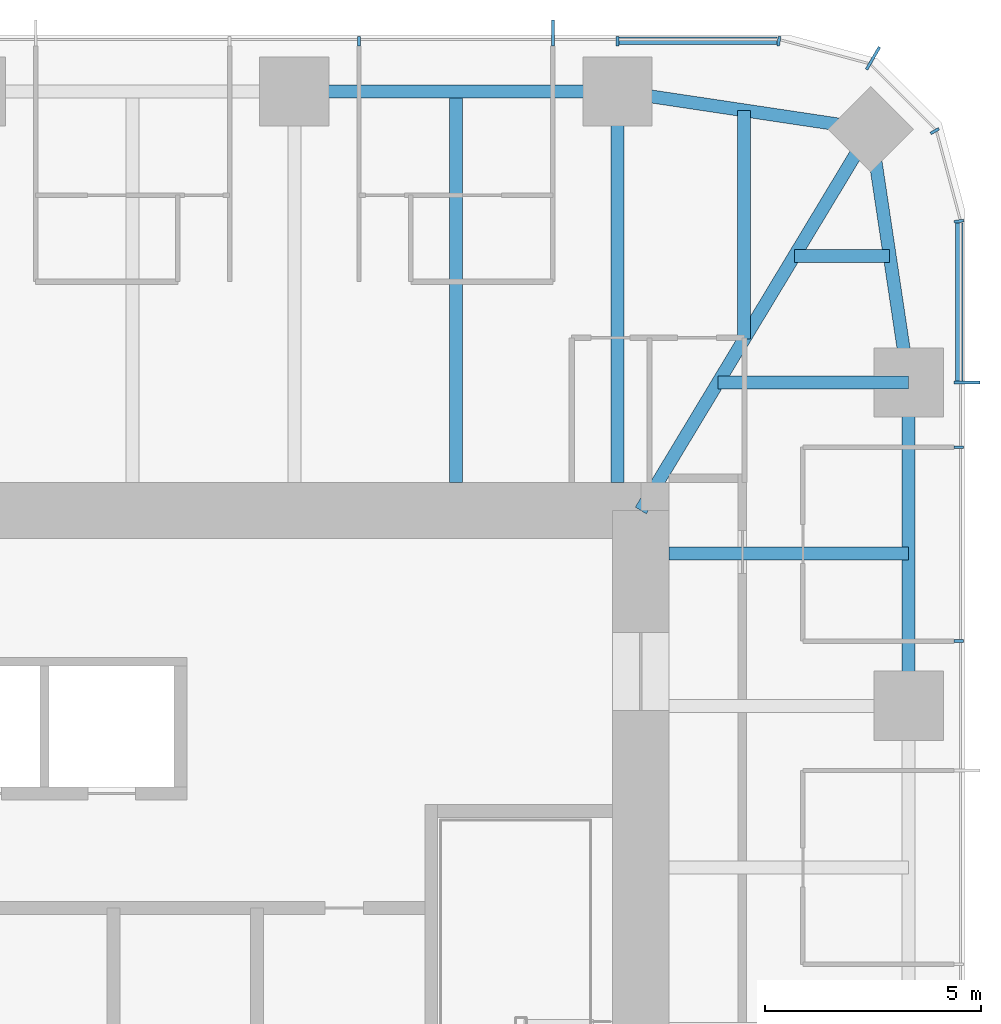
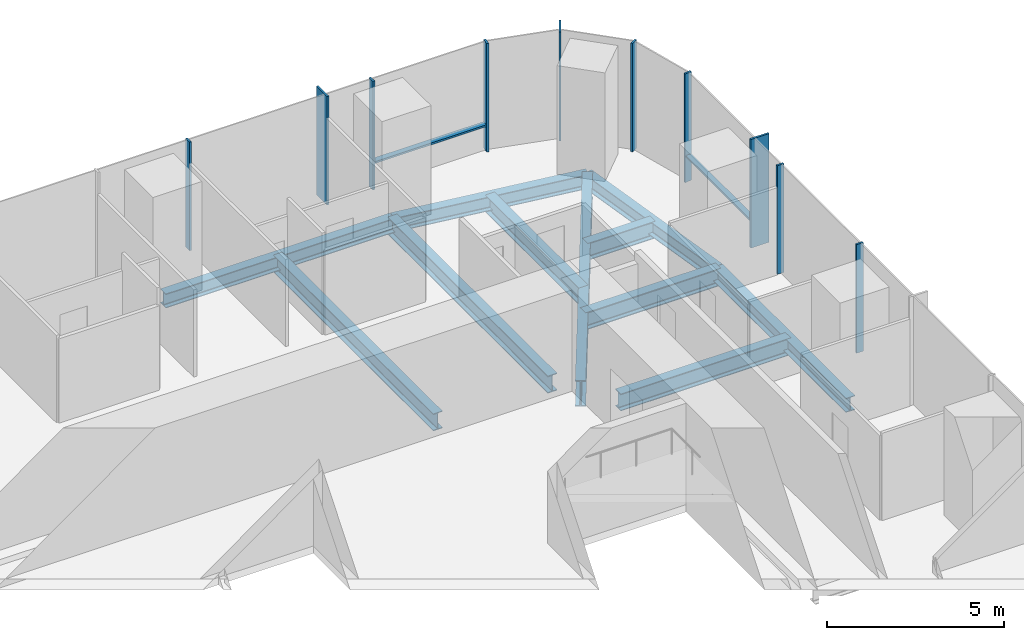
# One storey, part 6 of 12: 12 members, 11 beams, 3 elements without a shape of their own.
"""IFC4 building model written with IfcOpenShell, lengths in metres."""

import ifcopenshell
import ifcopenshell.guid

model = None  # the IFC model being written
_history = None  # IfcOwnerHistory: only IFC2X3 demands one
_inside = {}  # id of a spatial element -> (the spatial element, [elements in it])
_under = {}  # id of a project, library or spatial element -> (it, [spatial elements below it])
_declared = {}  # id of a project -> (the project, [libraries it declares])
_typed = {}  # id of a type object -> (the type object, [elements of that type])
_made_of = {}  # id of a material, layer set ... -> (it, [elements and type objects made of it])


def new_model(schema):
    """Start an empty IFC model of exactly this schema.

    Asked for "IFC4X3", IfcOpenShell would pick the latest addendum, in which some entities
    have other attributes; the version numbers below select the first issue.
    IFC2X3 requires an IfcOwnerHistory on every rooted entity: one is made here for all.
    """
    global model, _history
    if schema == "IFC4X3":
        model = ifcopenshell.file(schema_version=(4, 3, 0, 0))
    else:
        model = ifcopenshell.file(schema=schema)
    _inside.clear()
    _under.clear()
    _declared.clear()
    _typed.clear()
    _made_of.clear()
    _history = None
    if model.schema == "IFC2X3":
        org = make("IfcOrganization", Name="unknown")
        user = make(
            "IfcPersonAndOrganization",
            ThePerson=make("IfcPerson", FamilyName="unknown"),
            TheOrganization=org,
        )
        app = make(
            "IfcApplication",
            ApplicationDeveloper=org,
            Version="unknown",
            ApplicationFullName="unknown",
            ApplicationIdentifier="unknown",
        )
        _history = make(
            "IfcOwnerHistory",
            OwningUser=user,
            OwningApplication=app,
            ChangeAction="ADDED",
            CreationDate=0,
        )
    return model


def make(cls, **values):
    """One entity of the class cls with the attributes given. An attribute that is None is left unset."""
    return model.create_entity(
        cls, **{name: value for name, value in values.items() if value is not None}
    )


def rooted(cls, **values):
    """An entity with a GlobalId (a new one), such as an element, a storey or a relation."""
    return make(cls, GlobalId=ifcopenshell.guid.new(), OwnerHistory=_history, **values)


def si_unit(unit_type, name, prefix=None):
    """IfcSIUnit, for example si_unit("LENGTHUNIT", "METRE", prefix="MILLI")."""
    return make("IfcSIUnit", UnitType=unit_type, Prefix=prefix, Name=name)


def assignment(units):
    """IfcUnitAssignment: the units of a project."""
    return None if units is None else make("IfcUnitAssignment", Units=units)


def point(xyz):
    """IfcCartesianPoint."""
    return None if xyz is None else make("IfcCartesianPoint", Coordinates=xyz)


def direction(xyz):
    """IfcDirection."""
    return None if xyz is None else make("IfcDirection", DirectionRatios=xyz)


def frame(location, z_axis=None, x_axis=None):
    """IfcAxis2Placement3D, a coordinate frame: its origin and axes. An axis left out is left unset."""
    return make(
        "IfcAxis2Placement3D",
        Location=point(location),
        Axis=direction(z_axis),
        RefDirection=direction(x_axis),
    )


def frame_2d(location, x_axis=None):
    """IfcAxis2Placement2D, a coordinate frame in the plane: its origin and x axis."""
    return make(
        "IfcAxis2Placement2D", Location=point(location), RefDirection=direction(x_axis)
    )


def origin():
    """The frame at (0, 0, 0) with its axes left unset."""
    return frame((0.0, 0.0, 0.0))


def origin_2d():
    """The frame at (0, 0) in the plane with its x axis left unset."""
    return frame_2d((0.0, 0.0))


def place(relative_to, where):
    """IfcLocalPlacement: puts the frame where relative to a parent placement (None: the world)."""
    return make(
        "IfcLocalPlacement", PlacementRelTo=relative_to, RelativePlacement=where
    )


def context(
    kind, dimensions, precision=None, world=None, true_north=None, identifier=None
):
    """IfcGeometricRepresentationContext, for example the 3D "Model" context."""
    return make(
        "IfcGeometricRepresentationContext",
        ContextIdentifier=identifier,
        ContextType=kind,
        CoordinateSpaceDimension=dimensions,
        Precision=precision,
        WorldCoordinateSystem=world,
        TrueNorth=true_north,
    )


def subcontext(parent, identifier, kind, view, scale=None):
    """IfcGeometricRepresentationSubContext, for example "Body" below "Model"."""
    return make(
        "IfcGeometricRepresentationSubContext",
        ContextIdentifier=identifier,
        ContextType=kind,
        ParentContext=parent,
        TargetScale=scale,
        TargetView=view,
    )


def project(units=None, contexts=None):
    """IfcProject with its units and contexts."""
    return rooted(
        "IfcProject",
        Name="project",
        RepresentationContexts=contexts,
        UnitsInContext=assignment(units),
    )


def spatial(cls, under=None, at=None, **own):
    """A site, building, storey or space (cls), placed at a placement, below another one or the project."""
    s = rooted(cls, ObjectPlacement=at, **own)
    if under is not None:
        _under.setdefault(under.id(), (under, []))[1].append(s)
    return s


def profile(cls, at=None, kind="AREA", **sizes):
    """A parametric profile (cls). Its sizes go by their IFC names, for example OverallWidth=200.0."""
    return make(cls, ProfileType=kind, Position=at, **sizes)


def rectangle(**sizes):
    """IfcRectangleProfileDef."""
    return profile("IfcRectangleProfileDef", **sizes)


def i_section(**sizes):
    """IfcIShapeProfileDef."""
    return profile("IfcIShapeProfileDef", **sizes)


def extrude(swept, where, along, depth):
    """IfcExtrudedAreaSolid: the profile swept, set in the frame where, extruded along a direction by depth."""
    return make(
        "IfcExtrudedAreaSolid",
        SweptArea=swept,
        Position=where,
        ExtrudedDirection=direction(along),
        Depth=depth,
    )


def shape(context_of_items, identifier, shape_type, items):
    """IfcShapeRepresentation: the items that make up one representation, for example the "Body"."""
    return make(
        "IfcShapeRepresentation",
        ContextOfItems=context_of_items,
        RepresentationIdentifier=identifier,
        RepresentationType=shape_type,
        Items=items,
    )


def material(Name=None, Category=None):
    """IfcMaterial."""
    return make("IfcMaterial", Name=Name, Category=Category)


def material_profile(
    of_material, cross_section, Name=None, Category=None, Priority=None
):
    """IfcMaterialProfile: a cross section and its material."""
    return make(
        "IfcMaterialProfile",
        Name=Name,
        Material=of_material,
        Profile=cross_section,
        Priority=Priority,
        Category=Category,
    )


def profile_set(profiles, Name=None, composite=None):
    """IfcMaterialProfileSet."""
    return make(
        "IfcMaterialProfileSet",
        Name=Name,
        MaterialProfiles=profiles,
        CompositeProfile=composite,
    )


def made_of(thing, what):
    """Note that an element or type object is made of a material, layer set ...; save() writes the relation."""
    if what is not None:
        _made_of.setdefault(what.id(), (what, []))[1].append(thing)
    return thing


def type_object(cls, material=None, **own):
    """A type object (cls), such as IfcWallType, which elements share."""
    return made_of(rooted(cls, **own), material)


def element(
    cls,
    number,
    at=None,
    inside=None,
    cuts=None,
    type_object=None,
    material=None,
    context=None,
    identifier="Body",
    shape_type=None,
    held_by="IfcProductDefinitionShape",
    body=None,
    shapes=None,
    **own,
):
    """One element of the class cls, such as IfcWall. Its Tag is "e" and its number.

    at: its placement. inside: the storey or other place that contains it. cuts: it is an
    opening in that element (IfcRelVoidsElement). A single representation is given by context,
    identifier, shape_type and body (its items); several are given by shapes. held_by: the class
    of the entity that holds the representations. save() writes the other relations.
    """
    e = rooted(cls, Tag="e%d" % number, ObjectPlacement=at, **own)
    if body is not None:
        shapes = [shape(context, identifier, shape_type, body)]
    if shapes is not None:
        e.Representation = make(held_by, Representations=shapes)
    if inside is not None:
        _inside.setdefault(inside.id(), (inside, []))[1].append(e)
    if cuts is not None:
        rooted(
            "IfcRelVoidsElement", RelatingBuildingElement=cuts, RelatedOpeningElement=e
        )
    if type_object is not None:
        _typed.setdefault(type_object.id(), (type_object, []))[1].append(e)
    return made_of(e, material)


def aggregate(whole, parts):
    """IfcRelAggregates: a whole, such as a stair, and the parts it consists of."""
    return rooted("IfcRelAggregates", RelatingObject=whole, RelatedObjects=parts)


def save(model, path):
    """Write the relations noted so far, then the file.

    IfcRelAggregates (storeys below a building ...), IfcRelContainedInSpatialStructure (elements
    in a storey), IfcRelDefinesByType, IfcRelAssociatesMaterial and IfcRelDeclares: one each for
    every whole, place, type object, material and project.
    """
    for whole, parts in _under.values():
        aggregate(whole, parts)
    for where, things in _inside.values():
        rooted(
            "IfcRelContainedInSpatialStructure",
            RelatedElements=things,
            RelatingStructure=where,
        )
    for kind, things in _typed.values():
        rooted("IfcRelDefinesByType", RelatedObjects=things, RelatingType=kind)
    for what, things in _made_of.values():
        rooted("IfcRelAssociatesMaterial", RelatedObjects=things, RelatingMaterial=what)
    for by, libraries in _declared.values():
        rooted("IfcRelDeclares", RelatingContext=by, RelatedDefinitions=libraries)
    model.write(path)


model = new_model("IFC4")

# Units and contexts
model_context = context("Model", 3, precision=1e-05, world=origin(), true_north=direction((0.0, 1.0)))
body_context = subcontext(model_context, "Body", "Model", "MODEL_VIEW")
ifc_project = project(units=[si_unit("LENGTHUNIT", "METRE"), si_unit("AREAUNIT", "SQUARE_METRE"), si_unit("VOLUMEUNIT", "CUBIC_METRE"), si_unit("PLANEANGLEUNIT", "RADIAN"), si_unit("MASSUNIT", "GRAM", prefix="KILO")], contexts=[model_context])

# Site, building, storey
site_placement = place(None, origin())
site = spatial("IfcSite", under=ifc_project, at=site_placement, CompositionType="ELEMENT")
building_placement = place(site_placement, origin())
building = spatial("IfcBuilding", under=site, at=building_placement, Name="Khuree Lantern Residences", CompositionType="ELEMENT")
storey_placement = place(building_placement, frame((0.0, 0.0, 342.0)))
storey = spatial("IfcBuildingStorey", under=building, at=storey_placement, Name="L86", CompositionType="ELEMENT", Elevation=342.0)

# Beams
ifc_material_1 = material(Name="Steel S355", Category="steel")
ifc_material_profile_1 = material_profile(ifc_material_1, i_section(OverallWidth=0.300048828125, OverallDepth=0.590087890625, WebThickness=0.012939453125, FlangeThickness=0.02490234375, FilletRadius=0.027099609375, at=origin_2d()), Name="HE 600 A")
ifc_profile_set_1 = profile_set([ifc_material_profile_1], Name="Steel S355")
beam_type_1 = type_object("IfcBeamType", Name="B-45 SECONDARY BEAM HE 600 A", PredefinedType="BEAM", material=ifc_profile_set_1)
beam_1_placement = place(storey_placement, frame((11.219970703125, 21.699951171875, -0.544921875), z_axis=(0.0, -1.0, 0.0), x_axis=(1.0, 0.0, 0.0)))
element("IfcBeam", 1, at=beam_1_placement, inside=storey, type_object=beam_type_1, Name="Secondary beam N4", PredefinedType="BEAM", context=body_context, shape_type="SweptSolid", body=[
    extrude(i_section(OverallWidth=0.300048828125, OverallDepth=0.590087890625, WebThickness=0.012939453125, FlangeThickness=0.02490234375, FilletRadius=0.027099609375, at=origin_2d()), origin(), (0.0, 0.0, 1.0), 9.050048828125),
])
beam_2_placement = place(storey_placement, frame((17.890625, 21.2607421875, -0.544921875), z_axis=(0.0, -1.0, 0.0), x_axis=(1.0, 0.0, 0.0)))
element("IfcBeam", 2, at=beam_2_placement, inside=storey, type_object=beam_type_1, Name="Secondary beam N5", PredefinedType="BEAM", context=body_context, shape_type="SweptSolid", body=[
    extrude(i_section(OverallWidth=0.300048828125, OverallDepth=0.590087890625, WebThickness=0.012939453125, FlangeThickness=0.02490234375, FilletRadius=0.027099609375, at=origin_2d()), origin(), (0.0, 0.0, 1.0), 5.297607421875),
])
beam_3_placement = place(storey_placement, frame((21.2607421875, 17.890625, -0.544921875), z_axis=(-1.0, 0.0, 0.0), x_axis=(0.0, -1.0, 0.0)))
element("IfcBeam", 3, at=beam_3_placement, inside=storey, type_object=beam_type_1, Name="Secondary beam E1", PredefinedType="BEAM", context=body_context, shape_type="SweptSolid", body=[
    extrude(i_section(OverallWidth=0.300048828125, OverallDepth=0.590087890625, WebThickness=0.012939453125, FlangeThickness=0.02490234375, FilletRadius=0.027099609375, at=origin_2d()), origin(), (0.0, 0.0, 1.0), 2.207275390625),
])
beam_4_placement = place(storey_placement, frame((21.699951171875, 11.0, -0.544921875), z_axis=(-1.0, 0.0, 0.0), x_axis=(0.0, -1.0, 0.0)))
element("IfcBeam", 4, at=beam_4_placement, inside=storey, type_object=beam_type_1, Name="Secondary beam E2", PredefinedType="BEAM", context=body_context, shape_type="SweptSolid", body=[
    extrude(i_section(OverallWidth=0.300048828125, OverallDepth=0.590087890625, WebThickness=0.012939453125, FlangeThickness=0.02490234375, FilletRadius=0.027099609375, at=origin_2d()), origin(), (0.0, 0.0, 1.0), 5.550048828125),
])
ifc_material_profile_2 = material_profile(ifc_material_1, i_section(OverallWidth=0.300048828125, OverallDepth=0.489990234375, WebThickness=0.011962890625, FlangeThickness=0.02294921875, FilletRadius=0.027099609375, at=origin_2d()), Name="HE 500 A")
ifc_profile_set_2 = profile_set([ifc_material_profile_2], Name="Steel S355")
beam_type_2 = type_object("IfcBeamType", Name="E-45 SPANDREL BEAM HE 500 A", PredefinedType="SPANDREL", material=ifc_profile_set_2)
beam_5_placement = place(storey_placement, frame((7.47998046875, 21.699951171875, -0.4951171875), z_axis=(1.0, 0.0, 0.0), x_axis=(0.0, 1.0, 0.0)))
element("IfcBeam", 5, at=beam_5_placement, inside=storey, type_object=beam_type_2, Name="Spandrel beam N4", PredefinedType="SPANDREL", context=body_context, shape_type="SweptSolid", body=[
    extrude(i_section(OverallWidth=0.300048828125, OverallDepth=0.489990234375, WebThickness=0.011962890625, FlangeThickness=0.02294921875, FilletRadius=0.027099609375, at=origin_2d()), origin(), (0.0, 0.0, 1.0), 7.47998046875),
])
for number, where, z_axis, x_axis, name in (
    (6, (14.9599609375, 21.699951171875, -0.4951171875), (0.988949643299, -0.148251822985, 0.0), (0.148251822985, 0.988949643299, 0.0), "Spandrel beam N5"),
    (7, (20.8212890625, 20.8212890625, -0.4951171875), (0.148251822985, -0.988949643299, 0.0), (0.988949643299, 0.148251822985, 0.0), "Spandrel beam E1"),
):
    element("IfcBeam", number, at=place(storey_placement, frame(where, z_axis=z_axis, x_axis=x_axis)), inside=storey, type_object=beam_type_2, Name=name, PredefinedType="SPANDREL", context=body_context, shape_type="SweptSolid", body=[
        extrude(i_section(OverallWidth=0.300048828125, OverallDepth=0.489990234375, WebThickness=0.011962890625, FlangeThickness=0.02294921875, FilletRadius=0.027099609375, at=origin_2d()), origin(), (0.0, 0.0, 1.0), 5.9267578125),
    ])
beam_6_placement = place(storey_placement, frame((21.699951171875, 14.9599609375, -0.4951171875), z_axis=(0.0, -1.0, 0.0), x_axis=(1.0, 0.0, 0.0)))
element("IfcBeam", 8, at=beam_6_placement, inside=storey, type_object=beam_type_2, Name="Spandrel beam E2", PredefinedType="SPANDREL", context=body_context, shape_type="SweptSolid", body=[
    extrude(i_section(OverallWidth=0.300048828125, OverallDepth=0.489990234375, WebThickness=0.011962890625, FlangeThickness=0.02294921875, FilletRadius=0.027099609375, at=origin_2d()), origin(), (0.0, 0.0, 1.0), 7.47998046875),
])

# Curtain wall, member
ifc_material_2 = material(Name="Bronze anodised aluminium", Category="aluminium")
curtain_wall_type_1 = type_object("IfcCurtainWallType", Name="CW-T1 TOWER FACE CURTAIN WALL", PredefinedType="USERDEFINED", material=ifc_material_2)
curtain_wall_1_placement = place(storey_placement, origin())
curtain_wall_1 = element("IfcCurtainWall", 9, at=curtain_wall_1_placement, inside=storey, type_object=curtain_wall_type_1, Name="L86 EAST FACE CURTAIN WALL", ObjectType="Stick-built curtain wall", PredefinedType="USERDEFINED")
ifc_material_profile_3 = material_profile(ifc_material_2, rectangle(XDim=0.06494140625, YDim=0.60009765625, at=origin_2d()), Name="F1 65X600")
ifc_profile_set_3 = profile_set([ifc_material_profile_3], Name="Bronze anodised aluminium")
member_type_1 = type_object("IfcMemberType", Name="F1 BRONZE FIN MULLION TOWER 65X600", PredefinedType="MULLION", material=ifc_profile_set_3)
member_1_placement = place(storey_placement, frame((23.050048828125, 14.9599609375, 0.0), z_axis=(0.0, 0.0, 1.0), x_axis=(0.0, 1.0, 0.0)))
member_1 = element("IfcMember", 10, at=member_1_placement, type_object=member_type_1, Name="L86 EAST FACE FIN MULLION 14", PredefinedType="MULLION", context=body_context, shape_type="SweptSolid", body=[
    extrude(rectangle(XDim=0.06494140625, YDim=0.60009765625, at=origin_2d()), origin(), (0.0, 0.0, 1.0), 3.75),
])

curtain_wall_type_2 = type_object("IfcCurtainWallType", Name="CW-T2 TOWER CORNER CURTAIN WALL", PredefinedType="USERDEFINED", material=ifc_material_2)
curtain_wall_2_placement = place(storey_placement, origin())
curtain_wall_2 = element("IfcCurtainWall", 11, at=curtain_wall_2_placement, inside=storey, type_object=curtain_wall_type_2, Name="L86 NORTH-EAST CORNER CURTAIN WALL", ObjectType="Faceted corner curtain wall", PredefinedType="USERDEFINED")
member_2_placement = place(storey_placement, frame((20.875, 22.46728515625, 0.0), z_axis=(0.0, 0.0, 1.0), x_axis=(-0.866025437565, 0.49999994149, 0.0)))
member_2 = element("IfcMember", 12, at=member_2_placement, type_object=member_type_1, Name="L86 NORTH-EAST CORNER FIN MULLION 17", PredefinedType="MULLION", context=body_context, shape_type="SweptSolid", body=[
    extrude(rectangle(XDim=0.06494140625, YDim=0.60009765625, at=origin_2d()), origin(), (0.0, 0.0, 1.0), 3.75),
])

curtain_wall_3_placement = place(storey_placement, origin())
curtain_wall_3 = element("IfcCurtainWall", 13, at=curtain_wall_3_placement, inside=storey, type_object=curtain_wall_type_1, Name="L86 NORTH FACE CURTAIN WALL", ObjectType="Stick-built curtain wall", PredefinedType="USERDEFINED")
member_3_placement = place(storey_placement, frame((13.464111328125, 23.050048828125, 0.0), z_axis=(0.0, 0.0, 1.0), x_axis=(-1.0, 0.0, 0.0)))
member_3 = element("IfcMember", 14, at=member_3_placement, type_object=member_type_1, Name="L86 NORTH FACE FIN MULLION 20", PredefinedType="MULLION", context=body_context, shape_type="SweptSolid", body=[
    extrude(rectangle(XDim=0.06494140625, YDim=0.60009765625, at=origin_2d()), origin(), (0.0, 0.0, 1.0), 3.75),
])

# Beams
ifc_material_profile_4 = material_profile(ifc_material_1, i_section(OverallWidth=0.300048828125, OverallDepth=0.60009765625, WebThickness=0.015380859375, FlangeThickness=0.030029296875, FilletRadius=0.027099609375, at=origin_2d()), Name="HE 600 B")
ifc_profile_set_4 = profile_set([ifc_material_profile_4], Name="Steel S355")
beam_type_3 = type_object("IfcBeamType", Name="G-45 GIRDER HE 600 B", PredefinedType="BEAM", material=ifc_profile_set_4)
beam_7_placement = place(storey_placement, frame((14.9599609375, 21.699951171875, -0.550048828125), z_axis=(0.0, -1.0, 0.0), x_axis=(1.0, 0.0, 0.0)))
element("IfcBeam", 15, at=beam_7_placement, inside=storey, type_object=beam_type_3, Name="Girder N5", PredefinedType="BEAM", context=body_context, shape_type="SweptSolid", body=[
    extrude(i_section(OverallWidth=0.300048828125, OverallDepth=0.60009765625, WebThickness=0.015380859375, FlangeThickness=0.030029296875, FilletRadius=0.027099609375, at=origin_2d()), origin(), (0.0, 0.0, 1.0), 9.050048828125),
])
beam_8_placement = place(storey_placement, frame((21.699951171875, 14.9599609375, -0.550048828125), z_axis=(-1.0, 0.0, 0.0), x_axis=(0.0, -1.0, 0.0)))
element("IfcBeam", 16, at=beam_8_placement, inside=storey, type_object=beam_type_3, Name="Girder E1", PredefinedType="BEAM", context=body_context, shape_type="SweptSolid", body=[
    extrude(i_section(OverallWidth=0.300048828125, OverallDepth=0.60009765625, WebThickness=0.015380859375, FlangeThickness=0.030029296875, FilletRadius=0.027099609375, at=origin_2d()), origin(), (0.0, 0.0, 1.0), 4.414306640625),
])
ifc_material_profile_5 = material_profile(ifc_material_1, i_section(OverallWidth=0.300048828125, OverallDepth=0.89990234375, WebThickness=0.0185546875, FlangeThickness=0.034912109375, FilletRadius=0.030029296875, at=origin_2d()), Name="HE 900 B")
ifc_profile_set_5 = profile_set([ifc_material_profile_5], Name="Steel S355")
beam_type_4 = type_object("IfcBeamType", Name="GD-45 CORNER GIRDER HE 900 B", PredefinedType="BEAM", material=ifc_profile_set_5)
beam_9_placement = place(storey_placement, frame((20.8212890625, 20.8212890625, -0.699951171875), z_axis=(-0.516529577604, -0.856269347495, 0.0), x_axis=(0.856269347495, -0.516529577604, 0.0)))
element("IfcBeam", 17, at=beam_9_placement, inside=storey, type_object=beam_type_4, Name="Corner girder NE", PredefinedType="BEAM", context=body_context, shape_type="SweptSolid", body=[
    extrude(i_section(OverallWidth=0.300048828125, OverallDepth=0.89990234375, WebThickness=0.0185546875, FlangeThickness=0.034912109375, FilletRadius=0.030029296875, at=origin_2d()), origin(), (0.0, 0.0, 1.0), 10.302001953125),
])

# Member
ifc_material_profile_6 = material_profile(ifc_material_2, rectangle(XDim=0.06494140625, YDim=0.219970703125, at=origin_2d()), Name="M1 65X220")
ifc_profile_set_6 = profile_set([ifc_material_profile_6], Name="Bronze anodised aluminium")
member_type_2 = type_object("IfcMemberType", Name="M1 BRONZE MULLION TOWER 65X220", PredefinedType="MULLION", material=ifc_profile_set_6)
member_4_placement = place(storey_placement, frame((22.860107421875, 8.97607421875, 0.0), z_axis=(0.0, 0.0, 1.0), x_axis=(0.0, 1.0, 0.0)))
member_4 = element("IfcMember", 18, at=member_4_placement, type_object=member_type_2, Name="L86 EAST FACE MULLION 12", PredefinedType="MULLION", context=body_context, shape_type="SweptSolid", body=[
    extrude(rectangle(XDim=0.06494140625, YDim=0.219970703125, at=origin_2d()), origin(), (0.0, 0.0, 1.0), 3.75),
])

member_5_placement = place(storey_placement, frame((22.860107421875, 13.464111328125, 0.0), z_axis=(0.0, 0.0, 1.0), x_axis=(0.0, 1.0, 0.0)))
member_5 = element("IfcMember", 19, at=member_5_placement, type_object=member_type_2, Name="L86 EAST FACE MULLION 13", PredefinedType="MULLION", context=body_context, shape_type="SweptSolid", body=[
    extrude(rectangle(XDim=0.06494140625, YDim=0.219970703125, at=origin_2d()), origin(), (0.0, 0.0, 1.0), 3.75),
])

member_6_placement = place(storey_placement, frame((22.86181640625, 18.695068359375, 0.0), z_axis=(0.0, 0.0, 1.0), x_axis=(-0.130526125236, 0.991444870192, 0.0)))
member_6 = element("IfcMember", 20, at=member_6_placement, type_object=member_type_2, Name="L86 NORTH-EAST CORNER MULLION 15", PredefinedType="MULLION", context=body_context, shape_type="SweptSolid", body=[
    extrude(rectangle(XDim=0.06494140625, YDim=0.219970703125, at=origin_2d()), origin(), (0.0, 0.0, 1.0), 3.75),
])

member_7_placement = place(storey_placement, frame((22.302734375, 20.780029296875, 0.0), z_axis=(0.0, 0.0, 1.0), x_axis=(-0.49999994149, 0.866025437565, 0.0)))
member_7 = element("IfcMember", 21, at=member_7_placement, type_object=member_type_2, Name="L86 NORTH-EAST CORNER MULLION 16", PredefinedType="MULLION", context=body_context, shape_type="SweptSolid", body=[
    extrude(rectangle(XDim=0.06494140625, YDim=0.219970703125, at=origin_2d()), origin(), (0.0, 0.0, 1.0), 3.75),
])

aggregate(curtain_wall_2, [member_6, member_7, member_2])

member_8_placement = place(storey_placement, frame((18.695068359375, 22.86181640625, 0.0), z_axis=(0.0, 0.0, 1.0), x_axis=(-0.991444870192, 0.130526125236, 0.0)))
member_8 = element("IfcMember", 22, at=member_8_placement, type_object=member_type_2, Name="L86 NORTH FACE MULLION 18", PredefinedType="MULLION", context=body_context, shape_type="SweptSolid", body=[
    extrude(rectangle(XDim=0.06494140625, YDim=0.219970703125, at=origin_2d()), origin(), (0.0, 0.0, 1.0), 3.75),
])

member_9_placement = place(storey_placement, frame((14.9599609375, 22.860107421875, 0.0), z_axis=(0.0, 0.0, 1.0), x_axis=(-1.0, 0.0, 0.0)))
member_9 = element("IfcMember", 23, at=member_9_placement, type_object=member_type_2, Name="L86 NORTH FACE MULLION 19", PredefinedType="MULLION", context=body_context, shape_type="SweptSolid", body=[
    extrude(rectangle(XDim=0.06494140625, YDim=0.219970703125, at=origin_2d()), origin(), (0.0, 0.0, 1.0), 3.75),
])

member_10_placement = place(storey_placement, frame((8.97607421875, 22.860107421875, 0.0), z_axis=(0.0, 0.0, 1.0), x_axis=(-1.0, 0.0, 0.0)))
member_10 = element("IfcMember", 24, at=member_10_placement, type_object=member_type_2, Name="L86 NORTH FACE MULLION 21", PredefinedType="MULLION", context=body_context, shape_type="SweptSolid", body=[
    extrude(rectangle(XDim=0.06494140625, YDim=0.219970703125, at=origin_2d()), origin(), (0.0, 0.0, 1.0), 3.75),
])

ifc_material_profile_7 = material_profile(ifc_material_2, rectangle(XDim=0.179931640625, YDim=0.06494140625, at=origin_2d()), Name="T1 180X65")
ifc_profile_set_7 = profile_set([ifc_material_profile_7], Name="Bronze anodised aluminium")
member_type_3 = type_object("IfcMemberType", Name="TRANSOM T1 TOWER 180X65", PredefinedType="USERDEFINED", material=ifc_profile_set_7)
member_11_placement = place(storey_placement, frame((22.8701171875, 14.992431640625, 0.89990234375), z_axis=(0.0, 1.0, 0.0), x_axis=(-1.0, 0.0, 0.0)))
member_11 = element("IfcMember", 25, at=member_11_placement, type_object=member_type_3, Name="L86 EAST FACE TRANSOM 14.1", ObjectType="Transom", PredefinedType="USERDEFINED", context=body_context, shape_type="SweptSolid", body=[
    extrude(rectangle(XDim=0.179931640625, YDim=0.06494140625, at=origin_2d()), origin(), (0.0, 0.0, 1.0), 3.658935546875),
])

aggregate(curtain_wall_1, [member_4, member_5, member_1, member_11])

member_12_placement = place(storey_placement, frame((18.6513671875, 22.8701171875, 0.89990234375), z_axis=(-1.0, 0.0, 0.0), x_axis=(0.0, -1.0, 0.0)))
member_12 = element("IfcMember", 26, at=member_12_placement, type_object=member_type_3, Name="L86 NORTH FACE TRANSOM 18.1", ObjectType="Transom", PredefinedType="USERDEFINED", context=body_context, shape_type="SweptSolid", body=[
    extrude(rectangle(XDim=0.179931640625, YDim=0.06494140625, at=origin_2d()), origin(), (0.0, 0.0, 1.0), 3.658935546875),
])

aggregate(curtain_wall_3, [member_8, member_9, member_3, member_10, member_12])

save(model, "model.ifc")
